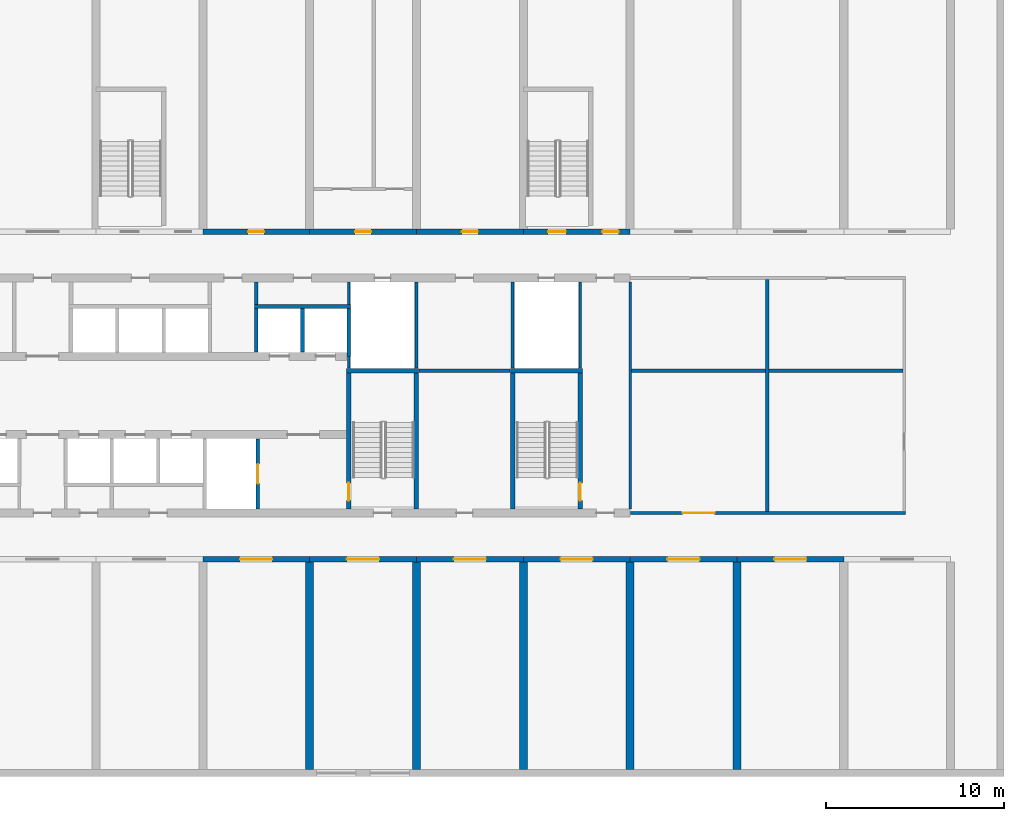
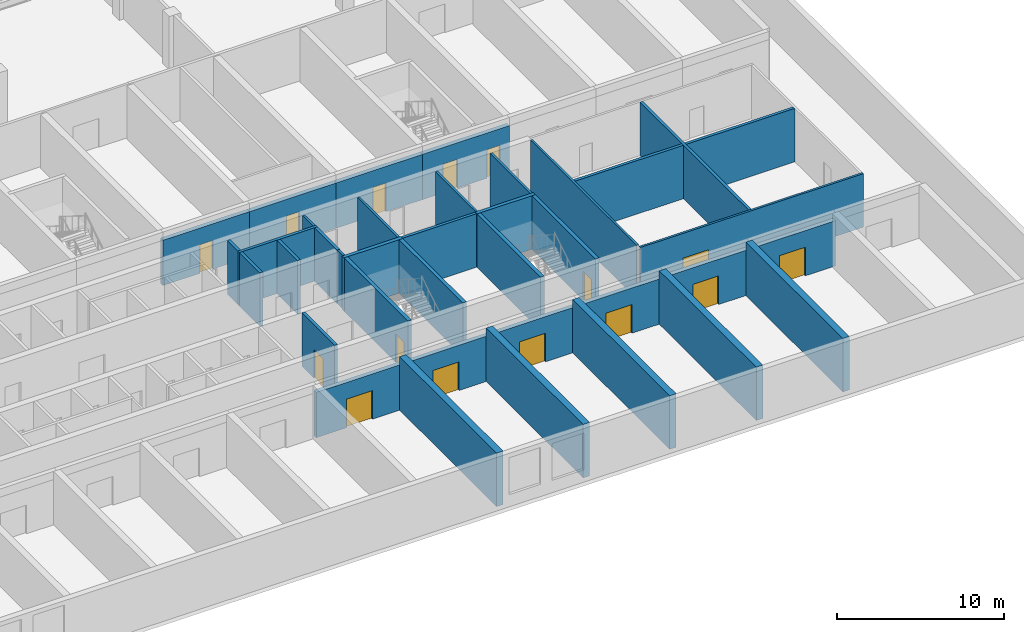
# One storey, part 10 of 15: 37 walls, 15 doors, 15 openings.
"""IFC4 building model written with IfcOpenShell, lengths in metres."""

from ifc_helpers import new_model, si_unit, direction, frame, frame_2d, origin, place, context, subcontext, project, spatial, rectangle, extrude, material, layer, layer_set, type_object, element, fill, save


model = new_model("IFC4")

# Units and contexts
model_context = context("Model", 3, precision=1e-05, world=origin(), true_north=direction((0.0, 1.0)))
body_context = subcontext(model_context, "Body", "Model", "MODEL_VIEW")
ifc_project = project(units=[si_unit("LENGTHUNIT", "METRE"), si_unit("AREAUNIT", "SQUARE_METRE"), si_unit("VOLUMEUNIT", "CUBIC_METRE"), si_unit("PLANEANGLEUNIT", "RADIAN"), si_unit("MASSUNIT", "GRAM", prefix="KILO")], contexts=[model_context])

# Site, building, storey
site_placement = place(None, origin())
site = spatial("IfcSite", under=ifc_project, at=site_placement, CompositionType="ELEMENT")
building_placement = place(site_placement, origin())
building = spatial("IfcBuilding", under=site, at=building_placement, Name="Poui Terraces", CompositionType="ELEMENT")
storey_placement = place(building_placement, frame((0.0, 0.0, 10.800048828125)))
storey = spatial("IfcBuildingStorey", under=building, at=storey_placement, Name="L02", CompositionType="ELEMENT", Elevation=10.800048828125)

# Walls
ifc_material_1 = material(Name="Fire-rated masonry wall", Category="masonry")
ifc_layer_1 = layer(ifc_material_1, 0.199951171875)
ifc_layer_set_1 = layer_set([ifc_layer_1], Name="Fire-rated masonry wall")
wall_type_1 = type_object("IfcWallType", Name="COMPARTMENT WALL 200", PredefinedType="PARTITIONING", material=ifc_layer_set_1)
wall_1_placement = place(storey_placement, frame((72.135009765625, 22.60009765625, 0.0), z_axis=(0.0, 0.0, 1.0), x_axis=(1.0, 0.0, 0.0)))
element("IfcWall", 1, at=wall_1_placement, inside=storey, type_object=wall_type_1, Name="COMPARTMENT WALL 200", PredefinedType="PARTITIONING", context=body_context, shape_type="SweptSolid", body=[
    extrude(rectangle(XDim=5.1298828125, YDim=0.199951171875, at=frame_2d((2.56494140625, 0.0))), origin(), (0.0, 0.0, 1.0), 3.919921875),
])
wall_2_placement = place(storey_placement, frame((84.074951171875, 22.60009765625, 0.0), z_axis=(0.0, 0.0, 1.0), x_axis=(1.0, 0.0, 0.0)))
element("IfcWall", 2, at=wall_2_placement, inside=storey, type_object=wall_type_1, Name="COMPARTMENT WALL 200", PredefinedType="PARTITIONING", context=body_context, shape_type="SweptSolid", body=[
    extrude(rectangle(XDim=15.25, YDim=0.199951171875, at=frame_2d((7.625, 0.0))), origin(), (0.0, 0.0, 1.0), 3.919921875),
])
wall_3_placement = place(storey_placement, frame((91.699951171875, 14.675048828125, 0.0), z_axis=(0.0, 0.0, 1.0), x_axis=(0.0, 1.0, 0.0)))
element("IfcWall", 3, at=wall_3_placement, inside=storey, type_object=wall_type_1, Name="COMPARTMENT WALL 200", PredefinedType="PARTITIONING", context=body_context, shape_type="SweptSolid", body=[
    extrude(rectangle(XDim=13.050048828125, YDim=0.199951171875, at=frame_2d((6.52490234375, 0.0))), origin(), (0.0, 0.0, 1.0), 3.919921875),
])

# Wall, opening, door
ifc_material_2 = material(Name="Fire-rated plasterboard wall")
ifc_layer_2 = layer(ifc_material_2, 0.14990234375)
ifc_layer_set_2 = layer_set([ifc_layer_2], Name="Fire-rated plasterboard wall")
wall_type_2 = type_object("IfcWallType", Name="CORRIDOR WALL 150", PredefinedType="PARTITIONING", material=ifc_layer_set_2)
wall_4_placement = place(storey_placement, frame((84.010009765625, 14.60009765625, 0.0), z_axis=(0.0, 0.0, 1.0), x_axis=(1.0, 0.0, 0.0)))
wall_4 = element("IfcWall", 4, at=wall_4_placement, inside=storey, type_object=wall_type_2, Name="CORRIDOR WALL 150", PredefinedType="PARTITIONING", context=body_context, shape_type="SweptSolid", body=[
    extrude(rectangle(XDim=15.465087890625, YDim=0.14990234375, at=frame_2d((7.732421875, 0.0))), origin(), (0.0, 0.0, 1.0), 3.919921875),
])
opening_1_placement = place(wall_4_placement, frame((2.93994140625, 0.0, 0.0)))
opening_1 = element("IfcOpeningElement", 5, at=opening_1_placement, cuts=wall_4, Name="Opening DD180", PredefinedType="OPENING", context=body_context, shape_type="SweptSolid", body=[
    extrude(rectangle(XDim=1.800048828125, YDim=2.10009765625, at=frame_2d((0.89990234375, 1.050048828125))), frame((0.0, 0.0849609375, 0.0), z_axis=(0.0, -1.0, 0.0), x_axis=(1.0, 0.0, 0.0)), (0.0, 0.0, 1.0), 0.169921875),
])
ifc_material_3 = material(Name="Steel fire door", Category="steel")
door_type_1 = type_object("IfcDoorType", Name="DOUBLE INTERNAL DOOR 1800 X 2100", OperationType="DOUBLE_DOOR_SINGLE_SWING", PredefinedType="DOOR", material=ifc_material_3)
door_1_placement = place(opening_1_placement, frame((1.800048828125, 0.0, 0.0), z_axis=(0.0, 0.0, 1.0), x_axis=(-1.0, 0.0, 0.0)))
door_1 = element("IfcDoor", 6, at=door_1_placement, inside=storey, type_object=door_type_1, Name="DOUBLE INTERNAL DOOR 068", OperationType="DOUBLE_DOOR_SINGLE_SWING", OverallHeight=2.10009765625, OverallWidth=1.800048828125, PredefinedType="DOOR", context=body_context, shape_type="SweptSolid", body=[
    extrude(rectangle(XDim=1.800048828125, YDim=2.10009765625, at=frame_2d((0.89990234375, 1.050048828125))), frame((0.0, 0.02490234375, 0.0), z_axis=(0.0, -1.0, 0.0), x_axis=(1.0, 0.0, 0.0)), (0.0, 0.0, 1.0), 0.050048828125),
])
fill(opening_1, door_1)

# Wall
wall_5_placement = place(storey_placement, frame((84.0, 14.8349609375, 0.0), z_axis=(0.0, 0.0, 1.0), x_axis=(0.0, 1.0, 0.0)))
element("IfcWall", 7, at=wall_5_placement, inside=storey, type_object=wall_type_2, Name="CORRIDOR WALL 150", PredefinedType="PARTITIONING", context=body_context, shape_type="SweptSolid", body=[
    extrude(rectangle(XDim=12.72998046875, YDim=0.14990234375, at=frame_2d((6.364990234375, 0.0))), origin(), (0.0, 0.0, 1.0), 3.919921875),
])

# Wall, opening, door
ifc_material_4 = material(Name="Concrete 80 MPa", Category="concrete")
ifc_layer_3 = layer(ifc_material_4, 0.300048828125)
ifc_layer_set_3 = layer_set([ifc_layer_3], Name="Concrete 80 MPa")
wall_type_3 = type_object("IfcWallType", Name="CORRIDOR WALL 300 80MPa", PredefinedType="SHEAR", material=ifc_layer_set_3)
wall_6_placement = place(storey_placement, frame((60.0, 12.0, 0.0), z_axis=(0.0, 0.0, 1.0), x_axis=(1.0, 0.0, 0.0)))
wall_6 = element("IfcWall", 8, at=wall_6_placement, inside=storey, type_object=wall_type_3, Name="CORRIDOR WALL LINE B BAY 11", PredefinedType="SHEAR", context=body_context, shape_type="SweptSolid", body=[
    extrude(rectangle(XDim=6.0, YDim=0.300048828125, at=frame_2d((3.0, 0.0))), origin(), (0.0, 0.0, 1.0), 3.320068359375),
])
opening_2_placement = place(wall_6_placement, frame((2.10009765625, 0.0, 0.0)))
opening_2 = element("IfcOpeningElement", 9, at=opening_2_placement, cuts=wall_6, Name="Opening DD180", PredefinedType="OPENING", context=body_context, shape_type="SweptSolid", body=[
    extrude(rectangle(XDim=1.800048828125, YDim=2.10009765625, at=frame_2d((0.89990234375, 1.050048828125))), frame((0.0, 0.16015625, 0.0), z_axis=(0.0, -1.0, 0.0), x_axis=(1.0, 0.0, 0.0)), (0.0, 0.0, 1.0), 0.320068359375),
])
door_2_placement = place(opening_2_placement, origin())
door_2 = element("IfcDoor", 10, at=door_2_placement, inside=storey, type_object=door_type_1, Name="DOUBLE INTERNAL DOOR 060", OperationType="DOUBLE_DOOR_SINGLE_SWING", OverallHeight=2.10009765625, OverallWidth=1.800048828125, PredefinedType="DOOR", context=body_context, shape_type="SweptSolid", body=[
    extrude(rectangle(XDim=1.800048828125, YDim=2.10009765625, at=frame_2d((0.89990234375, 1.050048828125))), frame((0.0, 0.02490234375, 0.0), z_axis=(0.0, -1.0, 0.0), x_axis=(1.0, 0.0, 0.0)), (0.0, 0.0, 1.0), 0.050048828125),
])
fill(opening_2, door_2)

wall_7_placement = place(storey_placement, frame((66.0, 12.0, 0.0), z_axis=(0.0, 0.0, 1.0), x_axis=(1.0, 0.0, 0.0)))
wall_7 = element("IfcWall", 11, at=wall_7_placement, inside=storey, type_object=wall_type_3, Name="CORRIDOR WALL LINE B BAY 12", PredefinedType="SHEAR", context=body_context, shape_type="SweptSolid", body=[
    extrude(rectangle(XDim=6.0, YDim=0.300048828125, at=frame_2d((3.0, 0.0))), origin(), (0.0, 0.0, 1.0), 3.320068359375),
])
opening_3_placement = place(wall_7_placement, frame((2.10009765625, 0.0, 0.0)))
opening_3 = element("IfcOpeningElement", 12, at=opening_3_placement, cuts=wall_7, Name="Opening DD180", PredefinedType="OPENING", context=body_context, shape_type="SweptSolid", body=[
    extrude(rectangle(XDim=1.800048828125, YDim=2.10009765625, at=frame_2d((0.89990234375, 1.050048828125))), frame((0.0, 0.16015625, 0.0), z_axis=(0.0, -1.0, 0.0), x_axis=(1.0, 0.0, 0.0)), (0.0, 0.0, 1.0), 0.320068359375),
])
door_3_placement = place(opening_3_placement, origin())
door_3 = element("IfcDoor", 13, at=door_3_placement, inside=storey, type_object=door_type_1, Name="DOUBLE INTERNAL DOOR 061", OperationType="DOUBLE_DOOR_SINGLE_SWING", OverallHeight=2.10009765625, OverallWidth=1.800048828125, PredefinedType="DOOR", context=body_context, shape_type="SweptSolid", body=[
    extrude(rectangle(XDim=1.800048828125, YDim=2.10009765625, at=frame_2d((0.89990234375, 1.050048828125))), frame((0.0, 0.02490234375, 0.0), z_axis=(0.0, -1.0, 0.0), x_axis=(1.0, 0.0, 0.0)), (0.0, 0.0, 1.0), 0.050048828125),
])
fill(opening_3, door_3)

wall_8_placement = place(storey_placement, frame((72.0, 12.0, 0.0), z_axis=(0.0, 0.0, 1.0), x_axis=(1.0, 0.0, 0.0)))
wall_8 = element("IfcWall", 14, at=wall_8_placement, inside=storey, type_object=wall_type_3, Name="CORRIDOR WALL LINE B BAY 13", PredefinedType="SHEAR", context=body_context, shape_type="SweptSolid", body=[
    extrude(rectangle(XDim=6.0, YDim=0.300048828125, at=frame_2d((3.0, 0.0))), origin(), (0.0, 0.0, 1.0), 3.320068359375),
])
opening_4_placement = place(wall_8_placement, frame((2.10009765625, 0.0, 0.0)))
opening_4 = element("IfcOpeningElement", 15, at=opening_4_placement, cuts=wall_8, Name="Opening DD180", PredefinedType="OPENING", context=body_context, shape_type="SweptSolid", body=[
    extrude(rectangle(XDim=1.800048828125, YDim=2.10009765625, at=frame_2d((0.89990234375, 1.050048828125))), frame((0.0, 0.16015625, 0.0), z_axis=(0.0, -1.0, 0.0), x_axis=(1.0, 0.0, 0.0)), (0.0, 0.0, 1.0), 0.320068359375),
])
door_4_placement = place(opening_4_placement, origin())
door_4 = element("IfcDoor", 16, at=door_4_placement, inside=storey, type_object=door_type_1, Name="DOUBLE INTERNAL DOOR 064", OperationType="DOUBLE_DOOR_SINGLE_SWING", OverallHeight=2.10009765625, OverallWidth=1.800048828125, PredefinedType="DOOR", context=body_context, shape_type="SweptSolid", body=[
    extrude(rectangle(XDim=1.800048828125, YDim=2.10009765625, at=frame_2d((0.89990234375, 1.050048828125))), frame((0.0, 0.02490234375, 0.0), z_axis=(0.0, -1.0, 0.0), x_axis=(1.0, 0.0, 0.0)), (0.0, 0.0, 1.0), 0.050048828125),
])
fill(opening_4, door_4)

wall_9_placement = place(storey_placement, frame((78.0, 12.0, 0.0), z_axis=(0.0, 0.0, 1.0), x_axis=(1.0, 0.0, 0.0)))
wall_9 = element("IfcWall", 17, at=wall_9_placement, inside=storey, type_object=wall_type_3, Name="CORRIDOR WALL LINE B BAY 14", PredefinedType="SHEAR", context=body_context, shape_type="SweptSolid", body=[
    extrude(rectangle(XDim=6.0, YDim=0.300048828125, at=frame_2d((3.0, 0.0))), origin(), (0.0, 0.0, 1.0), 3.320068359375),
])
opening_5_placement = place(wall_9_placement, frame((2.10009765625, 0.0, 0.0)))
opening_5 = element("IfcOpeningElement", 18, at=opening_5_placement, cuts=wall_9, Name="Opening DD180", PredefinedType="OPENING", context=body_context, shape_type="SweptSolid", body=[
    extrude(rectangle(XDim=1.800048828125, YDim=2.10009765625, at=frame_2d((0.89990234375, 1.050048828125))), frame((0.0, 0.16015625, 0.0), z_axis=(0.0, -1.0, 0.0), x_axis=(1.0, 0.0, 0.0)), (0.0, 0.0, 1.0), 0.320068359375),
])
door_5_placement = place(opening_5_placement, origin())
door_5 = element("IfcDoor", 19, at=door_5_placement, inside=storey, type_object=door_type_1, Name="DOUBLE INTERNAL DOOR 065", OperationType="DOUBLE_DOOR_SINGLE_SWING", OverallHeight=2.10009765625, OverallWidth=1.800048828125, PredefinedType="DOOR", context=body_context, shape_type="SweptSolid", body=[
    extrude(rectangle(XDim=1.800048828125, YDim=2.10009765625, at=frame_2d((0.89990234375, 1.050048828125))), frame((0.0, 0.02490234375, 0.0), z_axis=(0.0, -1.0, 0.0), x_axis=(1.0, 0.0, 0.0)), (0.0, 0.0, 1.0), 0.050048828125),
])
fill(opening_5, door_5)

wall_10_placement = place(storey_placement, frame((84.0, 12.0, 0.0), z_axis=(0.0, 0.0, 1.0), x_axis=(1.0, 0.0, 0.0)))
wall_10 = element("IfcWall", 20, at=wall_10_placement, inside=storey, type_object=wall_type_3, Name="CORRIDOR WALL LINE B BAY 15", PredefinedType="SHEAR", context=body_context, shape_type="SweptSolid", body=[
    extrude(rectangle(XDim=6.0, YDim=0.300048828125, at=frame_2d((3.0, 0.0))), origin(), (0.0, 0.0, 1.0), 3.320068359375),
])
opening_6_placement = place(wall_10_placement, frame((2.10009765625, 0.0, 0.0)))
opening_6 = element("IfcOpeningElement", 21, at=opening_6_placement, cuts=wall_10, Name="Opening DD180", PredefinedType="OPENING", context=body_context, shape_type="SweptSolid", body=[
    extrude(rectangle(XDim=1.800048828125, YDim=2.10009765625, at=frame_2d((0.89990234375, 1.050048828125))), frame((0.0, 0.16015625, 0.0), z_axis=(0.0, -1.0, 0.0), x_axis=(1.0, 0.0, 0.0)), (0.0, 0.0, 1.0), 0.320068359375),
])
door_6_placement = place(opening_6_placement, origin())
door_6 = element("IfcDoor", 22, at=door_6_placement, inside=storey, type_object=door_type_1, Name="DOUBLE INTERNAL DOOR 067", OperationType="DOUBLE_DOOR_SINGLE_SWING", OverallHeight=2.10009765625, OverallWidth=1.800048828125, PredefinedType="DOOR", context=body_context, shape_type="SweptSolid", body=[
    extrude(rectangle(XDim=1.800048828125, YDim=2.10009765625, at=frame_2d((0.89990234375, 1.050048828125))), frame((0.0, 0.02490234375, 0.0), z_axis=(0.0, -1.0, 0.0), x_axis=(1.0, 0.0, 0.0)), (0.0, 0.0, 1.0), 0.050048828125),
])
fill(opening_6, door_6)

wall_11_placement = place(storey_placement, frame((90.0, 12.0, 0.0), z_axis=(0.0, 0.0, 1.0), x_axis=(1.0, 0.0, 0.0)))
wall_11 = element("IfcWall", 23, at=wall_11_placement, inside=storey, type_object=wall_type_3, Name="CORRIDOR WALL LINE B BAY 16", PredefinedType="SHEAR", context=body_context, shape_type="SweptSolid", body=[
    extrude(rectangle(XDim=6.0, YDim=0.300048828125, at=frame_2d((3.0, 0.0))), origin(), (0.0, 0.0, 1.0), 3.320068359375),
])
opening_7_placement = place(wall_11_placement, frame((2.10009765625, 0.0, 0.0)))
opening_7 = element("IfcOpeningElement", 24, at=opening_7_placement, cuts=wall_11, Name="Opening DD180", PredefinedType="OPENING", context=body_context, shape_type="SweptSolid", body=[
    extrude(rectangle(XDim=1.800048828125, YDim=2.10009765625, at=frame_2d((0.89990234375, 1.050048828125))), frame((0.0, 0.16015625, 0.0), z_axis=(0.0, -1.0, 0.0), x_axis=(1.0, 0.0, 0.0)), (0.0, 0.0, 1.0), 0.320068359375),
])
door_7_placement = place(opening_7_placement, origin())
door_7 = element("IfcDoor", 25, at=door_7_placement, inside=storey, type_object=door_type_1, Name="DOUBLE INTERNAL DOOR 069", OperationType="DOUBLE_DOOR_SINGLE_SWING", OverallHeight=2.10009765625, OverallWidth=1.800048828125, PredefinedType="DOOR", context=body_context, shape_type="SweptSolid", body=[
    extrude(rectangle(XDim=1.800048828125, YDim=2.10009765625, at=frame_2d((0.89990234375, 1.050048828125))), frame((0.0, 0.02490234375, 0.0), z_axis=(0.0, -1.0, 0.0), x_axis=(1.0, 0.0, 0.0)), (0.0, 0.0, 1.0), 0.050048828125),
])
fill(opening_7, door_7)

wall_12_placement = place(storey_placement, frame((60.0, 30.39990234375, 0.0), z_axis=(0.0, 0.0, 1.0), x_axis=(1.0, 0.0, 0.0)))
wall_12 = element("IfcWall", 26, at=wall_12_placement, inside=storey, type_object=wall_type_3, Name="CORRIDOR WALL LINE E BAY 11", PredefinedType="SHEAR", context=body_context, shape_type="SweptSolid", body=[
    extrude(rectangle(XDim=6.0, YDim=0.300048828125, at=frame_2d((3.0, 0.0))), origin(), (0.0, 0.0, 1.0), 3.320068359375),
])
opening_8_placement = place(wall_12_placement, frame((2.550048828125, 0.0, 0.0)))
opening_8 = element("IfcOpeningElement", 27, at=opening_8_placement, cuts=wall_12, Name="Opening D90", PredefinedType="OPENING", context=body_context, shape_type="SweptSolid", body=[
    extrude(rectangle(XDim=0.89990234375, YDim=2.10009765625, at=frame_2d((0.449951171875, 1.050048828125))), frame((0.0, 0.16015625, 0.0), z_axis=(0.0, -1.0, 0.0), x_axis=(1.0, 0.0, 0.0)), (0.0, 0.0, 1.0), 0.320068359375),
])
ifc_material_5 = material(Name="Solid core timber door", Category="wood")
door_type_2 = type_object("IfcDoorType", Name="INTERNAL DOOR 900 X 2100", OperationType="NOTDEFINED", PredefinedType="DOOR", material=ifc_material_5)
door_8_placement = place(opening_8_placement, frame((0.89990234375, 0.0, 0.0), z_axis=(0.0, 0.0, 1.0), x_axis=(-1.0, 0.0, 0.0)))
door_8 = element("IfcDoor", 28, at=door_8_placement, inside=storey, type_object=door_type_2, Name="INTERNAL DOOR 026", OperationType="SINGLE_SWING_RIGHT", OverallHeight=2.10009765625, OverallWidth=0.89990234375, PredefinedType="DOOR", context=body_context, shape_type="SweptSolid", body=[
    extrude(rectangle(XDim=0.89990234375, YDim=2.10009765625, at=frame_2d((0.449951171875, 1.050048828125))), frame((0.0, 0.02490234375, 0.0), z_axis=(0.0, -1.0, 0.0), x_axis=(1.0, 0.0, 0.0)), (0.0, 0.0, 1.0), 0.050048828125),
])
fill(opening_8, door_8)

wall_13_placement = place(storey_placement, frame((66.0, 30.39990234375, 0.0), z_axis=(0.0, 0.0, 1.0), x_axis=(1.0, 0.0, 0.0)))
wall_13 = element("IfcWall", 29, at=wall_13_placement, inside=storey, type_object=wall_type_3, Name="CORRIDOR WALL LINE E BAY 12", PredefinedType="SHEAR", context=body_context, shape_type="SweptSolid", body=[
    extrude(rectangle(XDim=6.0, YDim=0.300048828125, at=frame_2d((3.0, 0.0))), origin(), (0.0, 0.0, 1.0), 3.320068359375),
])
opening_9_placement = place(wall_13_placement, frame((2.550048828125, 0.0, 0.0)))
opening_9 = element("IfcOpeningElement", 30, at=opening_9_placement, cuts=wall_13, Name="Opening D90", PredefinedType="OPENING", context=body_context, shape_type="SweptSolid", body=[
    extrude(rectangle(XDim=0.89990234375, YDim=2.10009765625, at=frame_2d((0.449951171875, 1.050048828125))), frame((0.0, 0.16015625, 0.0), z_axis=(0.0, -1.0, 0.0), x_axis=(1.0, 0.0, 0.0)), (0.0, 0.0, 1.0), 0.320068359375),
])
door_9_placement = place(opening_9_placement, frame((0.89990234375, 0.0, 0.0), z_axis=(0.0, 0.0, 1.0), x_axis=(-1.0, 0.0, 0.0)))
door_9 = element("IfcDoor", 31, at=door_9_placement, inside=storey, type_object=door_type_2, Name="INTERNAL DOOR 028", OperationType="SINGLE_SWING_LEFT", OverallHeight=2.10009765625, OverallWidth=0.89990234375, PredefinedType="DOOR", context=body_context, shape_type="SweptSolid", body=[
    extrude(rectangle(XDim=0.89990234375, YDim=2.10009765625, at=frame_2d((0.449951171875, 1.050048828125))), frame((0.0, 0.02490234375, 0.0), z_axis=(0.0, -1.0, 0.0), x_axis=(1.0, 0.0, 0.0)), (0.0, 0.0, 1.0), 0.050048828125),
])
fill(opening_9, door_9)

wall_14_placement = place(storey_placement, frame((72.0, 30.39990234375, 0.0), z_axis=(0.0, 0.0, 1.0), x_axis=(1.0, 0.0, 0.0)))
wall_14 = element("IfcWall", 32, at=wall_14_placement, inside=storey, type_object=wall_type_3, Name="CORRIDOR WALL LINE E BAY 13", PredefinedType="SHEAR", context=body_context, shape_type="SweptSolid", body=[
    extrude(rectangle(XDim=6.0, YDim=0.300048828125, at=frame_2d((3.0, 0.0))), origin(), (0.0, 0.0, 1.0), 3.320068359375),
])
opening_10_placement = place(wall_14_placement, frame((2.550048828125, 0.0, 0.0)))
opening_10 = element("IfcOpeningElement", 33, at=opening_10_placement, cuts=wall_14, Name="Opening D90", PredefinedType="OPENING", context=body_context, shape_type="SweptSolid", body=[
    extrude(rectangle(XDim=0.89990234375, YDim=2.10009765625, at=frame_2d((0.449951171875, 1.050048828125))), frame((0.0, 0.16015625, 0.0), z_axis=(0.0, -1.0, 0.0), x_axis=(1.0, 0.0, 0.0)), (0.0, 0.0, 1.0), 0.320068359375),
])
door_10_placement = place(opening_10_placement, frame((0.89990234375, 0.0, 0.0), z_axis=(0.0, 0.0, 1.0), x_axis=(-1.0, 0.0, 0.0)))
door_10 = element("IfcDoor", 34, at=door_10_placement, inside=storey, type_object=door_type_2, Name="INTERNAL DOOR 031", OperationType="SINGLE_SWING_RIGHT", OverallHeight=2.10009765625, OverallWidth=0.89990234375, PredefinedType="DOOR", context=body_context, shape_type="SweptSolid", body=[
    extrude(rectangle(XDim=0.89990234375, YDim=2.10009765625, at=frame_2d((0.449951171875, 1.050048828125))), frame((0.0, 0.02490234375, 0.0), z_axis=(0.0, -1.0, 0.0), x_axis=(1.0, 0.0, 0.0)), (0.0, 0.0, 1.0), 0.050048828125),
])
fill(opening_10, door_10)

# Wall, openings, doors
wall_15_placement = place(storey_placement, frame((78.0, 30.39990234375, 0.0), z_axis=(0.0, 0.0, 1.0), x_axis=(1.0, 0.0, 0.0)))
wall_15 = element("IfcWall", 35, at=wall_15_placement, inside=storey, type_object=wall_type_3, Name="CORRIDOR WALL LINE E BAY 14", PredefinedType="SHEAR", context=body_context, shape_type="SweptSolid", body=[
    extrude(rectangle(XDim=6.0, YDim=0.300048828125, at=frame_2d((3.0, 0.0))), origin(), (0.0, 0.0, 1.0), 3.320068359375),
])
opening_11_placement = place(wall_15_placement, frame((1.39990234375, 0.0, 0.0)))
opening_11 = element("IfcOpeningElement", 36, at=opening_11_placement, cuts=wall_15, Name="Opening FD60S", PredefinedType="OPENING", context=body_context, shape_type="SweptSolid", body=[
    extrude(rectangle(XDim=1.0, YDim=2.10009765625, at=frame_2d((0.5, 1.050048828125))), frame((0.0, 0.16015625, 0.0), z_axis=(0.0, -1.0, 0.0), x_axis=(1.0, 0.0, 0.0)), (0.0, 0.0, 1.0), 0.320068359375),
])
opening_12_placement = place(wall_15_placement, frame((4.449951171875, 0.0, 0.0)))
opening_12 = element("IfcOpeningElement", 37, at=opening_12_placement, cuts=wall_15, Name="Opening D90", PredefinedType="OPENING", context=body_context, shape_type="SweptSolid", body=[
    extrude(rectangle(XDim=0.89990234375, YDim=2.10009765625, at=frame_2d((0.449951171875, 1.050048828125))), frame((0.0, 0.16015625, 0.0), z_axis=(0.0, -1.0, 0.0), x_axis=(1.0, 0.0, 0.0)), (0.0, 0.0, 1.0), 0.320068359375),
])
door_11_placement = place(opening_12_placement, frame((0.89990234375, 0.0, 0.0), z_axis=(0.0, 0.0, 1.0), x_axis=(-1.0, 0.0, 0.0)))
door_11 = element("IfcDoor", 38, at=door_11_placement, inside=storey, type_object=door_type_2, Name="INTERNAL DOOR 035", OperationType="SINGLE_SWING_RIGHT", OverallHeight=2.10009765625, OverallWidth=0.89990234375, PredefinedType="DOOR", context=body_context, shape_type="SweptSolid", body=[
    extrude(rectangle(XDim=0.89990234375, YDim=2.10009765625, at=frame_2d((0.449951171875, 1.050048828125))), frame((0.0, 0.02490234375, 0.0), z_axis=(0.0, -1.0, 0.0), x_axis=(1.0, 0.0, 0.0)), (0.0, 0.0, 1.0), 0.050048828125),
])
fill(opening_12, door_11)
door_type_3 = type_object("IfcDoorType", Name="STAIR DOOR 1000 X 2100", OperationType="NOTDEFINED", PredefinedType="DOOR", material=ifc_material_3)
door_12_placement = place(opening_11_placement, origin())
door_12 = element("IfcDoor", 39, at=door_12_placement, inside=storey, type_object=door_type_3, Name="STAIR DOOR 033", OperationType="SINGLE_SWING_RIGHT", OverallHeight=2.10009765625, OverallWidth=1.0, PredefinedType="DOOR", context=body_context, shape_type="SweptSolid", body=[
    extrude(rectangle(XDim=1.0, YDim=2.10009765625, at=frame_2d((0.5, 1.050048828125))), frame((0.0, 0.02490234375, 0.0), z_axis=(0.0, -1.0, 0.0), x_axis=(1.0, 0.0, 0.0)), (0.0, 0.0, 1.0), 0.050048828125),
])
fill(opening_11, door_12)

# Walls
ifc_layer_4 = layer(ifc_material_4, 0.449951171875)
ifc_layer_set_4 = layer_set([ifc_layer_4], Name="Concrete 80 MPa")
wall_type_4 = type_object("IfcWallType", Name="CROSS WALL 450 80MPa", PredefinedType="SHEAR", material=ifc_layer_set_4)
for number, where, z_axis, x_axis, name in (
    (40, (66.0, 0.199951171875, 0.0), (0.0, 0.0, 1.0), (0.0, 1.0, 0.0), "CROSS WALL LINE 12 SOUTH"),
    (41, (72.0, 0.199951171875, 0.0), (0.0, 0.0, 1.0), (0.0, 1.0, 0.0), "CROSS WALL LINE 13 SOUTH"),
    (42, (78.0, 0.199951171875, 0.0), (0.0, 0.0, 1.0), (0.0, 1.0, 0.0), "CROSS WALL LINE 14 SOUTH"),
    (43, (84.0, 0.199951171875, 0.0), (0.0, 0.0, 1.0), (0.0, 1.0, 0.0), "CROSS WALL LINE 15 SOUTH"),
    (44, (90.0, 0.199951171875, 0.0), (0.0, 0.0, 1.0), (0.0, 1.0, 0.0), "CROSS WALL LINE 16 SOUTH"),
):
    element("IfcWall", number, at=place(storey_placement, frame(where, z_axis=z_axis, x_axis=x_axis)), inside=storey, type_object=wall_type_4, Name=name, PredefinedType="SHEAR", context=body_context, shape_type="SweptSolid", body=[
        extrude(rectangle(XDim=11.650146484375, YDim=0.449951171875, at=frame_2d((5.8251953125, 0.0))), origin(), (0.0, 0.0, 1.0), 3.919921875),
    ])
ifc_layer_5 = layer(ifc_material_1, 0.199951171875)
ifc_layer_set_5 = layer_set([ifc_layer_5], Name="Fire-rated masonry wall")
wall_type_5 = type_object("IfcWallType", Name="PLANT ROOM WALL 200", PredefinedType="PARTITIONING", material=ifc_layer_set_5)
wall_16_placement = place(storey_placement, frame((63.0, 26.300048828125, 0.0), z_axis=(0.0, 0.0, 1.0), x_axis=(0.0, 1.0, 0.0)))
element("IfcWall", 45, at=wall_16_placement, inside=storey, type_object=wall_type_5, Name="PLANT ROOM WALL 200", PredefinedType="PARTITIONING", context=body_context, shape_type="SweptSolid", body=[
    extrude(rectangle(XDim=1.264892578125, YDim=0.199951171875, at=frame_2d((0.63232421875, 0.0))), origin(), (0.0, 0.0, 1.0), 3.919921875),
])
ifc_material_6 = material(Name="Fire-rated plasterboard riser wall")
ifc_layer_6 = layer(ifc_material_6, 0.14990234375)
ifc_layer_set_6 = layer_set([ifc_layer_6], Name="Fire-rated plasterboard riser wall")
wall_type_6 = type_object("IfcWallType", Name="RISER WALL 150", PredefinedType="PARTITIONING", material=ifc_layer_set_6)
wall_17_placement = place(storey_placement, frame((68.199951171875, 22.735107421875, 0.0), z_axis=(0.0, 0.0, 1.0), x_axis=(0.0, 1.0, 0.0)))
element("IfcWall", 46, at=wall_17_placement, inside=storey, type_object=wall_type_6, Name="RISER WALL 150", PredefinedType="PARTITIONING", context=body_context, shape_type="SweptSolid", body=[
    extrude(rectangle(XDim=0.664794921875, YDim=0.14990234375, at=frame_2d((0.33251953125, 0.0))), origin(), (0.0, 0.0, 1.0), 3.919921875),
])
wall_18_placement = place(storey_placement, frame((68.199951171875, 26.300048828125, 0.0), z_axis=(0.0, 0.0, 1.0), x_axis=(0.0, 1.0, 0.0)))
element("IfcWall", 47, at=wall_18_placement, inside=storey, type_object=wall_type_6, Name="RISER WALL 150", PredefinedType="PARTITIONING", context=body_context, shape_type="SweptSolid", body=[
    extrude(rectangle(XDim=1.264892578125, YDim=0.14990234375, at=frame_2d((0.63232421875, 0.0))), origin(), (0.0, 0.0, 1.0), 3.919921875),
])
for number, where, z_axis, x_axis, name in (
    (48, (72.0, 22.735107421875, 0.0), (0.0, 0.0, 1.0), (0.0, 1.0, 0.0), "RISER WALL 150"),
    (49, (77.39990234375, 22.735107421875, 0.0), (0.0, 0.0, 1.0), (0.0, 1.0, 0.0), "RISER WALL 150"),
    (50, (81.199951171875, 22.735107421875, 0.0), (0.0, 0.0, 1.0), (0.0, 1.0, 0.0), "RISER WALL 150"),
):
    element("IfcWall", number, at=place(storey_placement, frame(where, z_axis=z_axis, x_axis=x_axis)), inside=storey, type_object=wall_type_6, Name=name, PredefinedType="PARTITIONING", context=body_context, shape_type="SweptSolid", body=[
        extrude(rectangle(XDim=4.829833984375, YDim=0.14990234375, at=frame_2d((2.4150390625, 0.0))), origin(), (0.0, 0.0, 1.0), 3.919921875),
    ])
ifc_material_7 = material(Name="Fire-rated masonry shaft wall", Category="masonry")
ifc_layer_7 = layer(ifc_material_7, 0.199951171875)
ifc_layer_set_7 = layer_set([ifc_layer_7], Name="Fire-rated masonry shaft wall")
wall_type_7 = type_object("IfcWallType", Name="SHAFT WALL 200", PredefinedType="PARTITIONING", material=ifc_layer_set_7)
wall_19_placement = place(storey_placement, frame((62.89990234375, 26.199951171875, 0.0), z_axis=(0.0, 0.0, 1.0), x_axis=(1.0, 0.0, 0.0)))
element("IfcWall", 51, at=wall_19_placement, inside=storey, type_object=wall_type_7, Name="SHAFT WALL 200", PredefinedType="PARTITIONING", context=body_context, shape_type="SweptSolid", body=[
    extrude(rectangle(XDim=5.400146484375, YDim=0.199951171875, at=frame_2d((2.7001953125, 0.0))), origin(), (0.0, 0.0, 1.0), 3.919921875),
])
wall_20_placement = place(storey_placement, frame((63.0, 23.635009765625, 0.0), z_axis=(0.0, 0.0, 1.0), x_axis=(0.0, 1.0, 0.0)))
element("IfcWall", 52, at=wall_20_placement, inside=storey, type_object=wall_type_7, Name="SHAFT WALL 200", PredefinedType="PARTITIONING", context=body_context, shape_type="SweptSolid", body=[
    extrude(rectangle(XDim=2.465087890625, YDim=0.199951171875, at=frame_2d((1.232421875, 0.0))), origin(), (0.0, 0.0, 1.0), 3.919921875),
])

# Wall, opening, door
wall_21_placement = place(storey_placement, frame((63.10009765625, 14.8349609375, 0.0), z_axis=(0.0, 0.0, 1.0), x_axis=(0.0, 1.0, 0.0)))
wall_21 = element("IfcWall", 53, at=wall_21_placement, inside=storey, type_object=wall_type_7, Name="SHAFT WALL 200", PredefinedType="PARTITIONING", context=body_context, shape_type="SweptSolid", body=[
    extrude(rectangle(XDim=3.929931640625, YDim=0.199951171875, at=frame_2d((1.96484375, 0.0))), origin(), (0.0, 0.0, 1.0), 3.919921875),
])
opening_13_placement = place(wall_21_placement, frame((1.4150390625, 0.0, 0.0)))
opening_13 = element("IfcOpeningElement", 54, at=opening_13_placement, cuts=wall_21, Name="Opening LD", PredefinedType="OPENING", context=body_context, shape_type="SweptSolid", body=[
    extrude(rectangle(XDim=1.10009765625, YDim=2.10009765625, at=frame_2d((0.550048828125, 1.050048828125))), frame((0.0, 0.10986328125, 0.0), z_axis=(0.0, -1.0, 0.0), x_axis=(1.0, 0.0, 0.0)), (0.0, 0.0, 1.0), 0.219970703125),
])
ifc_material_8 = material(Name="Stainless steel sliding door", Category="steel")
door_type_4 = type_object("IfcDoorType", Name="LIFT LANDING DOOR 1100 X 2100", OperationType="DOUBLE_DOOR_SLIDING", PredefinedType="DOOR", material=ifc_material_8)
door_13_placement = place(opening_13_placement, origin())
door_13 = element("IfcDoor", 55, at=door_13_placement, inside=storey, type_object=door_type_4, Name="LANDING DOOR", OperationType="DOUBLE_DOOR_SLIDING", OverallHeight=2.10009765625, OverallWidth=1.10009765625, PredefinedType="DOOR", context=body_context, shape_type="SweptSolid", body=[
    extrude(rectangle(XDim=1.10009765625, YDim=2.10009765625, at=frame_2d((0.550048828125, 1.050048828125))), frame((0.0, 0.02490234375, 0.0), z_axis=(0.0, -1.0, 0.0), x_axis=(1.0, 0.0, 0.0)), (0.0, 0.0, 1.0), 0.050048828125),
])
fill(opening_13, door_13)

# Walls
wall_22_placement = place(storey_placement, frame((65.60009765625, 23.635009765625, 0.0), z_axis=(0.0, 0.0, 1.0), x_axis=(0.0, 1.0, 0.0)))
element("IfcWall", 56, at=wall_22_placement, inside=storey, type_object=wall_type_7, Name="SHAFT WALL 200", PredefinedType="PARTITIONING", context=body_context, shape_type="SweptSolid", body=[
    extrude(rectangle(XDim=2.465087890625, YDim=0.199951171875, at=frame_2d((1.232421875, 0.0))), origin(), (0.0, 0.0, 1.0), 3.919921875),
])
wall_23_placement = place(storey_placement, frame((68.199951171875, 23.39990234375, 0.0), z_axis=(0.0, 0.0, 1.0), x_axis=(0.0, 1.0, 0.0)))
element("IfcWall", 57, at=wall_23_placement, inside=storey, type_object=wall_type_7, Name="SHAFT WALL 200", PredefinedType="PARTITIONING", context=body_context, shape_type="SweptSolid", body=[
    extrude(rectangle(XDim=2.7001953125, YDim=0.199951171875, at=frame_2d((1.35009765625, 0.0))), origin(), (0.0, 0.0, 1.0), 3.919921875),
])

# Wall, opening, door
ifc_layer_8 = layer(ifc_material_4, 0.25)
ifc_layer_set_8 = layer_set([ifc_layer_8], Name="Concrete 80 MPa")
wall_type_8 = type_object("IfcWallType", Name="STAIR CORE WALL 250 80 MPA", PredefinedType="SOLIDWALL", material=ifc_layer_set_8)
wall_24_placement = place(storey_placement, frame((68.199951171875, 14.824951171875, 0.0), z_axis=(0.0, 0.0, 1.0), x_axis=(0.0, 1.0, 0.0)))
wall_24 = element("IfcWall", 58, at=wall_24_placement, inside=storey, type_object=wall_type_8, Name="STAIR CORE WALL", PredefinedType="SOLIDWALL", context=body_context, shape_type="SweptSolid", body=[
    extrude(rectangle(XDim=7.650146484375, YDim=0.25, at=frame_2d((3.8251953125, 0.0))), origin(), (0.0, 0.0, 1.0), 3.919921875),
])
opening_14_placement = place(wall_24_placement, frame((0.47509765625, 0.0, 0.0)))
opening_14 = element("IfcOpeningElement", 59, at=opening_14_placement, cuts=wall_24, Name="Opening FD60S", PredefinedType="OPENING", context=body_context, shape_type="SweptSolid", body=[
    extrude(rectangle(XDim=1.0, YDim=2.10009765625, at=frame_2d((0.5, 1.050048828125))), frame((0.0, 0.135009765625, 0.0), z_axis=(0.0, -1.0, 0.0), x_axis=(1.0, 0.0, 0.0)), (0.0, 0.0, 1.0), 0.27001953125),
])
door_14_placement = place(opening_14_placement, frame((1.0, 0.0, 0.0), z_axis=(0.0, 0.0, 1.0), x_axis=(-1.0, 0.0, 0.0)))
door_14 = element("IfcDoor", 60, at=door_14_placement, inside=storey, type_object=door_type_3, Name="STAIR DOOR 084", OperationType="SINGLE_SWING_LEFT", OverallHeight=2.10009765625, OverallWidth=1.0, PredefinedType="DOOR", context=body_context, shape_type="SweptSolid", body=[
    extrude(rectangle(XDim=1.0, YDim=2.10009765625, at=frame_2d((0.5, 1.050048828125))), frame((0.0, 0.02490234375, 0.0), z_axis=(0.0, -1.0, 0.0), x_axis=(1.0, 0.0, 0.0)), (0.0, 0.0, 1.0), 0.050048828125),
])
fill(opening_14, door_14)

# Walls
wall_25_placement = place(storey_placement, frame((72.0, 14.824951171875, 0.0), z_axis=(0.0, 0.0, 1.0), x_axis=(0.0, 1.0, 0.0)))
element("IfcWall", 61, at=wall_25_placement, inside=storey, type_object=wall_type_8, Name="STAIR CORE WALL", PredefinedType="SOLIDWALL", context=body_context, shape_type="SweptSolid", body=[
    extrude(rectangle(XDim=7.650146484375, YDim=0.25, at=frame_2d((3.8251953125, 0.0))), origin(), (0.0, 0.0, 1.0), 3.919921875),
])
wall_26_placement = place(storey_placement, frame((68.074951171875, 22.60009765625, 0.0), z_axis=(0.0, 0.0, 1.0), x_axis=(1.0, 0.0, 0.0)))
element("IfcWall", 62, at=wall_26_placement, inside=storey, type_object=wall_type_8, Name="STAIR CORE WALL", PredefinedType="SOLIDWALL", context=body_context, shape_type="SweptSolid", body=[
    extrude(rectangle(XDim=4.050048828125, YDim=0.25, at=frame_2d((2.02490234375, 0.0))), origin(), (0.0, 0.0, 1.0), 3.919921875),
])
wall_27_placement = place(storey_placement, frame((77.39990234375, 14.824951171875, 0.0), z_axis=(0.0, 0.0, 1.0), x_axis=(0.0, 1.0, 0.0)))
element("IfcWall", 63, at=wall_27_placement, inside=storey, type_object=wall_type_8, Name="STAIR CORE WALL", PredefinedType="SOLIDWALL", context=body_context, shape_type="SweptSolid", body=[
    extrude(rectangle(XDim=7.650146484375, YDim=0.25, at=frame_2d((3.8251953125, 0.0))), origin(), (0.0, 0.0, 1.0), 3.919921875),
])

# Wall, opening, door
wall_28_placement = place(storey_placement, frame((81.199951171875, 14.824951171875, 0.0), z_axis=(0.0, 0.0, 1.0), x_axis=(0.0, 1.0, 0.0)))
wall_28 = element("IfcWall", 64, at=wall_28_placement, inside=storey, type_object=wall_type_8, Name="STAIR CORE WALL", PredefinedType="SOLIDWALL", context=body_context, shape_type="SweptSolid", body=[
    extrude(rectangle(XDim=7.650146484375, YDim=0.25, at=frame_2d((3.8251953125, 0.0))), origin(), (0.0, 0.0, 1.0), 3.919921875),
])
opening_15_placement = place(wall_28_placement, frame((0.47509765625, 0.0, 0.0)))
opening_15 = element("IfcOpeningElement", 65, at=opening_15_placement, cuts=wall_28, Name="Opening FD60S", PredefinedType="OPENING", context=body_context, shape_type="SweptSolid", body=[
    extrude(rectangle(XDim=1.0, YDim=2.10009765625, at=frame_2d((0.5, 1.050048828125))), frame((0.0, 0.135009765625, 0.0), z_axis=(0.0, -1.0, 0.0), x_axis=(1.0, 0.0, 0.0)), (0.0, 0.0, 1.0), 0.27001953125),
])
door_15_placement = place(opening_15_placement, origin())
door_15 = element("IfcDoor", 66, at=door_15_placement, inside=storey, type_object=door_type_3, Name="STAIR DOOR 100", OperationType="SINGLE_SWING_LEFT", OverallHeight=2.10009765625, OverallWidth=1.0, PredefinedType="DOOR", context=body_context, shape_type="SweptSolid", body=[
    extrude(rectangle(XDim=1.0, YDim=2.10009765625, at=frame_2d((0.5, 1.050048828125))), frame((0.0, 0.02490234375, 0.0), z_axis=(0.0, -1.0, 0.0), x_axis=(1.0, 0.0, 0.0)), (0.0, 0.0, 1.0), 0.050048828125),
])
fill(opening_15, door_15)

# Wall
wall_29_placement = place(storey_placement, frame((77.27490234375, 22.60009765625, 0.0), z_axis=(0.0, 0.0, 1.0), x_axis=(1.0, 0.0, 0.0)))
element("IfcWall", 67, at=wall_29_placement, inside=storey, type_object=wall_type_8, Name="STAIR CORE WALL", PredefinedType="SOLIDWALL", context=body_context, shape_type="SweptSolid", body=[
    extrude(rectangle(XDim=4.050048828125, YDim=0.25, at=frame_2d((2.02490234375, 0.0))), origin(), (0.0, 0.0, 1.0), 3.919921875),
])

save(model, "model.ifc")
